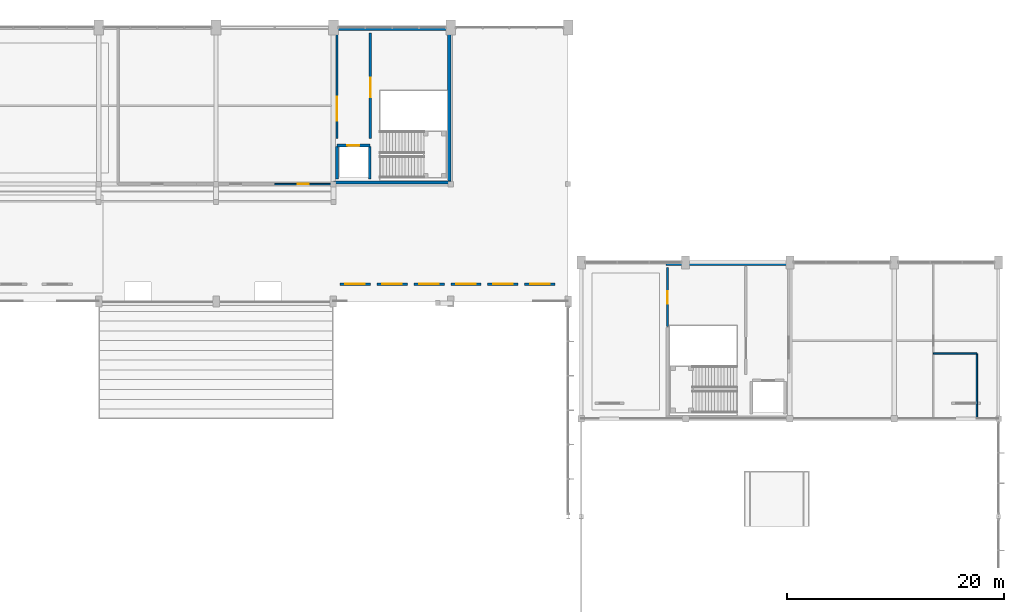
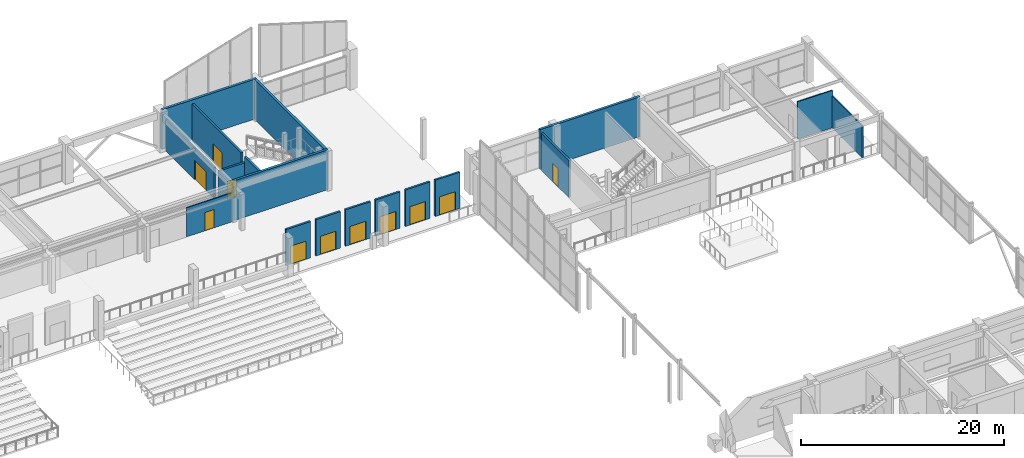
# One storey, part 55 of 74: 19 walls, 11 doors, 11 openings.
"""IFC4 building model written with IfcOpenShell, lengths in metres."""

from ifc_helpers import new_model, si_unit, direction, frame, frame_2d, origin, place, context, subcontext, project, spatial, rectangle, extrude, material, layer, layer_set, type_object, element, fill, save


model = new_model("IFC4")

# Units and contexts
model_context = context("Model", 3, precision=1e-05, world=origin(), true_north=direction((0.0, 1.0)))
body_context = subcontext(model_context, "Body", "Model", "MODEL_VIEW")
ifc_project = project(units=[si_unit("LENGTHUNIT", "METRE"), si_unit("AREAUNIT", "SQUARE_METRE"), si_unit("VOLUMEUNIT", "CUBIC_METRE"), si_unit("PLANEANGLEUNIT", "RADIAN"), si_unit("MASSUNIT", "GRAM", prefix="KILO")], contexts=[model_context])

# Site, building, storey
site_placement = place(None, origin())
site = spatial("IfcSite", under=ifc_project, at=site_placement, CompositionType="ELEMENT")
building_placement = place(site_placement, origin())
building = spatial("IfcBuilding", under=site, at=building_placement, Name="Suirenkawa Promenade Aquatics Centre", CompositionType="ELEMENT")
storey_placement = place(building_placement, frame((0.0, 0.0, 4.800048828125)))
storey = spatial("IfcBuildingStorey", under=building, at=storey_placement, Name="L01", CompositionType="ELEMENT", Elevation=4.800048828125)

# Walls
ifc_material_1 = material(Name="Concrete M40", Category="concrete")
ifc_layer_1 = layer(ifc_material_1, 0.280029296875, Name="Concrete M40", Category="concrete")
ifc_layer_set_1 = layer_set([ifc_layer_1], Name="Concrete M40")
wall_type_1 = type_object("IfcWallType", Name="WT-CORE-280", PredefinedType="SHEAR", material=ifc_layer_set_1)
for number, where, z_axis, x_axis, name in (
    (1, (133.199951171875, 108.139892578125, 0.0), (0.0, 0.0, 1.0), (1.0, 0.0, 0.0), "C4 south core wall WL-CORE-02 W-0130"),
    (2, (133.199951171875, 122.260009765625, 0.0), (0.0, 0.0, 1.0), (1.0, 0.0, 0.0), "C4 north core wall WL-CORE-02 W-0131"),
):
    element("IfcWall", number, at=place(storey_placement, frame(where, z_axis=z_axis, x_axis=x_axis)), inside=storey, type_object=wall_type_1, Name=name, PredefinedType="SHEAR", context=body_context, shape_type="SweptSolid", body=[
        extrude(rectangle(XDim=10.800048828125, YDim=0.280029296875, at=frame_2d((5.39990234375, 0.0))), origin(), (0.0, 0.0, 1.0), 4.800048828125),
    ])
wall_1_placement = place(storey_placement, frame((143.860107421875, 108.280029296875, 0.0), z_axis=(0.0, 0.0, 1.0), x_axis=(0.0, 1.0, 0.0)))
element("IfcWall", 3, at=wall_1_placement, inside=storey, type_object=wall_type_1, Name="C4 east core wall WL-CORE-02 W-0132", PredefinedType="SHEAR", context=body_context, shape_type="SweptSolid", body=[
    extrude(rectangle(XDim=13.840087890625, YDim=0.280029296875, at=frame_2d((6.919921875, 0.0))), origin(), (0.0, 0.0, 1.0), 4.800048828125),
])
wall_2_placement = place(storey_placement, frame((163.800048828125, 100.659912109375, 0.0), z_axis=(0.0, 0.0, 1.0), x_axis=(1.0, 0.0, 0.0)))
element("IfcWall", 4, at=wall_2_placement, inside=storey, type_object=wall_type_1, Name="C5 north core wall WL-CORE-02 W-0144", PredefinedType="SHEAR", context=body_context, shape_type="SweptSolid", body=[
    extrude(rectangle(XDim=11.39990234375, YDim=0.280029296875, at=frame_2d((5.699951171875, 0.0))), origin(), (0.0, 0.0, 1.0), 4.800048828125),
])

# Wall, opening, door
ifc_material_2 = material(Name="Concrete M35", Category="concrete")
ifc_layer_2 = layer(ifc_material_2, 0.219970703125, Name="Concrete M35", Category="concrete")
ifc_layer_set_2 = layer_set([ifc_layer_2], Name="Concrete M35")
wall_type_2 = type_object("IfcWallType", Name="WT-LOBBY-220", PredefinedType="PARTITIONING", material=ifc_layer_set_2)
wall_3_placement = place(storey_placement, frame((136.60009765625, 112.199951171875, 0.0), z_axis=(0.0, 0.0, 1.0), x_axis=(0.0, 1.0, 0.0)))
wall_3 = element("IfcWall", 5, at=wall_3_placement, inside=storey, type_object=wall_type_2, Name="Interior wall WL-LOB-01 W-7097", PredefinedType="PARTITIONING", context=body_context, shape_type="SweptSolid", body=[
    extrude(rectangle(XDim=9.699951171875, YDim=0.219970703125, at=frame_2d((4.85009765625, 0.0))), origin(), (0.0, 0.0, 1.0), 4.5048828125),
])
opening_1_placement = place(wall_3_placement, frame((3.800048828125, 0.0, 0.0)))
opening_1 = element("IfcOpeningElement", 6, at=opening_1_placement, cuts=wall_3, Name="Opening ID-02", PredefinedType="OPENING", context=body_context, shape_type="SweptSolid", body=[
    extrude(rectangle(XDim=1.800048828125, YDim=2.199951171875, at=frame_2d((0.89990234375, 1.10009765625))), frame((0.0, 0.119873046875, 0.0), z_axis=(0.0, -1.0, 0.0), x_axis=(1.0, 0.0, 0.0)), (0.0, 0.0, 1.0), 0.239990234375),
])
ifc_material_3 = material(Name="Steel IS 2062 E350 (Grade 350)", Category="steel")
door_type_1 = type_object("IfcDoorType", Name="DT-FD120-1800x2200", OperationType="DOUBLE_DOOR_SINGLE_SWING", PredefinedType="DOOR", material=ifc_material_3)
door_1_placement = place(opening_1_placement, origin())
door_1 = element("IfcDoor", 7, at=door_1_placement, inside=storey, type_object=door_type_1, Name="Interior door ID-02 DR-INT-0063", OperationType="DOUBLE_DOOR_SINGLE_SWING", OverallHeight=2.199951171875, OverallWidth=1.800048828125, PredefinedType="DOOR", context=body_context, shape_type="SweptSolid", body=[
    extrude(rectangle(XDim=1.800048828125, YDim=2.199951171875, at=frame_2d((0.89990234375, 1.10009765625))), frame((0.0, 0.02490234375, 0.0), z_axis=(0.0, -1.0, 0.0), x_axis=(1.0, 0.0, 0.0)), (0.0, 0.0, 1.0), 0.050048828125),
])
fill(opening_1, door_1)

wall_4_placement = place(storey_placement, frame((133.530029296875, 112.199951171875, 0.0), z_axis=(0.0, 0.0, 1.0), x_axis=(0.0, 1.0, 0.0)))
wall_4 = element("IfcWall", 8, at=wall_4_placement, inside=storey, type_object=wall_type_2, Name="Interior wall WL-LOB-01 W-7101", PredefinedType="PARTITIONING", context=body_context, shape_type="SweptSolid", body=[
    extrude(rectangle(XDim=9.60009765625, YDim=0.219970703125, at=frame_2d((4.800048828125, 0.0))), origin(), (0.0, 0.0, 1.0), 3.784912109375),
])
opening_2_placement = place(wall_4_placement, frame((1.64990234375, 0.0, 0.0)))
opening_2 = element("IfcOpeningElement", 9, at=opening_2_placement, cuts=wall_4, Name="Opening DR-FD120", PredefinedType="OPENING", context=body_context, shape_type="SweptSolid", body=[
    extrude(rectangle(XDim=2.199951171875, YDim=2.300048828125, at=frame_2d((1.10009765625, 1.14990234375))), frame((0.0, 0.119873046875, 0.0), z_axis=(0.0, -1.0, 0.0), x_axis=(1.0, 0.0, 0.0)), (0.0, 0.0, 1.0), 0.239990234375),
])
door_type_2 = type_object("IfcDoorType", Name="DT-FD120-2200x2300", OperationType="DOUBLE_DOOR_SINGLE_SWING", PredefinedType="DOOR", material=ifc_material_3)
door_2_placement = place(opening_2_placement, origin())
door_2 = element("IfcDoor", 10, at=door_2_placement, inside=storey, type_object=door_type_2, Name="Interior door DR-FD120 DR-INT-0065", OperationType="DOUBLE_DOOR_SINGLE_SWING", OverallHeight=2.300048828125, OverallWidth=2.199951171875, PredefinedType="DOOR", context=body_context, shape_type="SweptSolid", body=[
    extrude(rectangle(XDim=2.199951171875, YDim=2.300048828125, at=frame_2d((1.10009765625, 1.14990234375))), frame((0.0, 0.02490234375, 0.0), z_axis=(0.0, -1.0, 0.0), x_axis=(1.0, 0.0, 0.0)), (0.0, 0.0, 1.0), 0.050048828125),
])
fill(opening_2, door_2)

wall_5_placement = place(storey_placement, frame((163.93994140625, 94.89990234375, 0.0), z_axis=(0.0, 0.0, 1.0), x_axis=(0.0, 1.0, 0.0)))
wall_5 = element("IfcWall", 11, at=wall_5_placement, inside=storey, type_object=wall_type_2, Name="Interior wall WL-LOB-01 W-7118", PredefinedType="PARTITIONING", context=body_context, shape_type="SweptSolid", body=[
    extrude(rectangle(XDim=5.4501953125, YDim=0.219970703125, at=frame_2d((2.72509765625, 0.0))), origin(), (0.0, 0.0, 1.0), 4.5048828125),
])
opening_3_placement = place(wall_5_placement, frame((2.10009765625, 0.0, 0.0)))
opening_3 = element("IfcOpeningElement", 12, at=opening_3_placement, cuts=wall_5, Name="Opening ID-03", PredefinedType="OPENING", context=body_context, shape_type="SweptSolid", body=[
    extrude(rectangle(XDim=1.14990234375, YDim=2.199951171875, at=frame_2d((0.574951171875, 1.10009765625))), frame((0.0, 0.119873046875, 0.0), z_axis=(0.0, -1.0, 0.0), x_axis=(1.0, 0.0, 0.0)), (0.0, 0.0, 1.0), 0.239990234375),
])
door_type_3 = type_object("IfcDoorType", Name="DT-FD120-1150x2200", OperationType="NOTDEFINED", PredefinedType="DOOR", material=ifc_material_3)
door_3_placement = place(opening_3_placement, origin())
door_3 = element("IfcDoor", 13, at=door_3_placement, inside=storey, type_object=door_type_3, Name="Interior door ID-03 DR-INT-0076", OperationType="SINGLE_SWING_LEFT", OverallHeight=2.199951171875, OverallWidth=1.14990234375, PredefinedType="DOOR", context=body_context, shape_type="SweptSolid", body=[
    extrude(rectangle(XDim=1.14990234375, YDim=2.199951171875, at=frame_2d((0.574951171875, 1.10009765625))), frame((0.0, 0.02490234375, 0.0), z_axis=(0.0, -1.0, 0.0), x_axis=(1.0, 0.0, 0.0)), (0.0, 0.0, 1.0), 0.050048828125),
])
fill(opening_3, door_3)

wall_6_placement = place(storey_placement, frame((133.800048828125, 98.800048828125, 0.0), z_axis=(0.0, 0.0, 1.0), x_axis=(1.0, 0.0, 0.0)))
wall_6 = element("IfcWall", 14, at=wall_6_placement, inside=storey, type_object=wall_type_2, Name="Interior wall WL-LOB-01 W-7396", PredefinedType="PARTITIONING", context=body_context, shape_type="SweptSolid", body=[
    extrude(rectangle(XDim=2.800048828125, YDim=0.219970703125, at=frame_2d((1.39990234375, 0.0))), origin(), (0.0, 0.0, 1.0), 4.385009765625),
])
opening_4_placement = place(wall_6_placement, frame((0.5, 0.0, 0.0)))
opening_4 = element("IfcOpeningElement", 15, at=opening_4_placement, cuts=wall_6, Name="Opening ID-02", PredefinedType="OPENING", context=body_context, shape_type="SweptSolid", body=[
    extrude(rectangle(XDim=1.800048828125, YDim=2.199951171875, at=frame_2d((0.89990234375, 1.10009765625))), frame((0.0, 0.119873046875, 0.0), z_axis=(0.0, -1.0, 0.0), x_axis=(1.0, 0.0, 0.0)), (0.0, 0.0, 1.0), 0.239990234375),
])
door_4_placement = place(opening_4_placement, origin())
door_4 = element("IfcDoor", 16, at=door_4_placement, inside=storey, type_object=door_type_1, Name="Interior door ID-02 DR-INT-0232", OperationType="DOUBLE_DOOR_SINGLE_SWING", OverallHeight=2.199951171875, OverallWidth=1.800048828125, PredefinedType="DOOR", context=body_context, shape_type="SweptSolid", body=[
    extrude(rectangle(XDim=1.800048828125, YDim=2.199951171875, at=frame_2d((0.89990234375, 1.10009765625))), frame((0.0, 0.02490234375, 0.0), z_axis=(0.0, -1.0, 0.0), x_axis=(1.0, 0.0, 0.0)), (0.0, 0.0, 1.0), 0.050048828125),
])
fill(opening_4, door_4)

wall_7_placement = place(storey_placement, frame((137.199951171875, 98.800048828125, 0.0), z_axis=(0.0, 0.0, 1.0), x_axis=(1.0, 0.0, 0.0)))
wall_7 = element("IfcWall", 17, at=wall_7_placement, inside=storey, type_object=wall_type_2, Name="Interior wall WL-LOB-01 W-7397", PredefinedType="PARTITIONING", context=body_context, shape_type="SweptSolid", body=[
    extrude(rectangle(XDim=2.800048828125, YDim=0.219970703125, at=frame_2d((1.39990234375, 0.0))), origin(), (0.0, 0.0, 1.0), 4.385009765625),
])
opening_5_placement = place(wall_7_placement, frame((0.5, 0.0, 0.0)))
opening_5 = element("IfcOpeningElement", 18, at=opening_5_placement, cuts=wall_7, Name="Opening ID-02", PredefinedType="OPENING", context=body_context, shape_type="SweptSolid", body=[
    extrude(rectangle(XDim=1.800048828125, YDim=2.199951171875, at=frame_2d((0.89990234375, 1.10009765625))), frame((0.0, 0.119873046875, 0.0), z_axis=(0.0, -1.0, 0.0), x_axis=(1.0, 0.0, 0.0)), (0.0, 0.0, 1.0), 0.239990234375),
])
door_5_placement = place(opening_5_placement, origin())
door_5 = element("IfcDoor", 19, at=door_5_placement, inside=storey, type_object=door_type_1, Name="Interior door ID-02 DR-INT-0233", OperationType="DOUBLE_DOOR_SINGLE_SWING", OverallHeight=2.199951171875, OverallWidth=1.800048828125, PredefinedType="DOOR", context=body_context, shape_type="SweptSolid", body=[
    extrude(rectangle(XDim=1.800048828125, YDim=2.199951171875, at=frame_2d((0.89990234375, 1.10009765625))), frame((0.0, 0.02490234375, 0.0), z_axis=(0.0, -1.0, 0.0), x_axis=(1.0, 0.0, 0.0)), (0.0, 0.0, 1.0), 0.050048828125),
])
fill(opening_5, door_5)

wall_8_placement = place(storey_placement, frame((140.60009765625, 98.800048828125, 0.0), z_axis=(0.0, 0.0, 1.0), x_axis=(1.0, 0.0, 0.0)))
wall_8 = element("IfcWall", 20, at=wall_8_placement, inside=storey, type_object=wall_type_2, Name="Interior wall WL-LOB-01 W-7398", PredefinedType="PARTITIONING", context=body_context, shape_type="SweptSolid", body=[
    extrude(rectangle(XDim=2.7998046875, YDim=0.219970703125, at=frame_2d((1.39990234375, 0.0))), origin(), (0.0, 0.0, 1.0), 4.385009765625),
])
opening_6_placement = place(wall_8_placement, frame((0.5, 0.0, 0.0)))
opening_6 = element("IfcOpeningElement", 21, at=opening_6_placement, cuts=wall_8, Name="Opening ID-02", PredefinedType="OPENING", context=body_context, shape_type="SweptSolid", body=[
    extrude(rectangle(XDim=1.800048828125, YDim=2.199951171875, at=frame_2d((0.89990234375, 1.10009765625))), frame((0.0, 0.119873046875, 0.0), z_axis=(0.0, -1.0, 0.0), x_axis=(1.0, 0.0, 0.0)), (0.0, 0.0, 1.0), 0.239990234375),
])
door_6_placement = place(opening_6_placement, origin())
door_6 = element("IfcDoor", 22, at=door_6_placement, inside=storey, type_object=door_type_1, Name="Interior door ID-02 DR-INT-0234", OperationType="DOUBLE_DOOR_SINGLE_SWING", OverallHeight=2.199951171875, OverallWidth=1.800048828125, PredefinedType="DOOR", context=body_context, shape_type="SweptSolid", body=[
    extrude(rectangle(XDim=1.800048828125, YDim=2.199951171875, at=frame_2d((0.89990234375, 1.10009765625))), frame((0.0, 0.02490234375, 0.0), z_axis=(0.0, -1.0, 0.0), x_axis=(1.0, 0.0, 0.0)), (0.0, 0.0, 1.0), 0.050048828125),
])
fill(opening_6, door_6)

wall_9_placement = place(storey_placement, frame((144.0, 98.800048828125, 0.0), z_axis=(0.0, 0.0, 1.0), x_axis=(1.0, 0.0, 0.0)))
wall_9 = element("IfcWall", 23, at=wall_9_placement, inside=storey, type_object=wall_type_2, Name="Interior wall WL-LOB-01 W-7399", PredefinedType="PARTITIONING", context=body_context, shape_type="SweptSolid", body=[
    extrude(rectangle(XDim=2.800048828125, YDim=0.219970703125, at=frame_2d((1.39990234375, 0.0))), origin(), (0.0, 0.0, 1.0), 4.385009765625),
])
opening_7_placement = place(wall_9_placement, frame((0.5, 0.0, 0.0)))
opening_7 = element("IfcOpeningElement", 24, at=opening_7_placement, cuts=wall_9, Name="Opening ID-02", PredefinedType="OPENING", context=body_context, shape_type="SweptSolid", body=[
    extrude(rectangle(XDim=1.800048828125, YDim=2.199951171875, at=frame_2d((0.89990234375, 1.10009765625))), frame((0.0, 0.119873046875, 0.0), z_axis=(0.0, -1.0, 0.0), x_axis=(1.0, 0.0, 0.0)), (0.0, 0.0, 1.0), 0.239990234375),
])
door_7_placement = place(opening_7_placement, origin())
door_7 = element("IfcDoor", 25, at=door_7_placement, inside=storey, type_object=door_type_1, Name="Interior door ID-02 DR-INT-0235", OperationType="DOUBLE_DOOR_SINGLE_SWING", OverallHeight=2.199951171875, OverallWidth=1.800048828125, PredefinedType="DOOR", context=body_context, shape_type="SweptSolid", body=[
    extrude(rectangle(XDim=1.800048828125, YDim=2.199951171875, at=frame_2d((0.89990234375, 1.10009765625))), frame((0.0, 0.02490234375, 0.0), z_axis=(0.0, -1.0, 0.0), x_axis=(1.0, 0.0, 0.0)), (0.0, 0.0, 1.0), 0.050048828125),
])
fill(opening_7, door_7)

wall_10_placement = place(storey_placement, frame((147.39990234375, 98.800048828125, 0.0), z_axis=(0.0, 0.0, 1.0), x_axis=(1.0, 0.0, 0.0)))
wall_10 = element("IfcWall", 26, at=wall_10_placement, inside=storey, type_object=wall_type_2, Name="Interior wall WL-LOB-01 W-7400", PredefinedType="PARTITIONING", context=body_context, shape_type="SweptSolid", body=[
    extrude(rectangle(XDim=2.800048828125, YDim=0.219970703125, at=frame_2d((1.39990234375, 0.0))), origin(), (0.0, 0.0, 1.0), 4.385009765625),
])
opening_8_placement = place(wall_10_placement, frame((0.5, 0.0, 0.0)))
opening_8 = element("IfcOpeningElement", 27, at=opening_8_placement, cuts=wall_10, Name="Opening ID-02", PredefinedType="OPENING", context=body_context, shape_type="SweptSolid", body=[
    extrude(rectangle(XDim=1.800048828125, YDim=2.199951171875, at=frame_2d((0.89990234375, 1.10009765625))), frame((0.0, 0.119873046875, 0.0), z_axis=(0.0, -1.0, 0.0), x_axis=(1.0, 0.0, 0.0)), (0.0, 0.0, 1.0), 0.239990234375),
])
door_8_placement = place(opening_8_placement, origin())
door_8 = element("IfcDoor", 28, at=door_8_placement, inside=storey, type_object=door_type_1, Name="Interior door ID-02 DR-INT-0236", OperationType="DOUBLE_DOOR_SINGLE_SWING", OverallHeight=2.199951171875, OverallWidth=1.800048828125, PredefinedType="DOOR", context=body_context, shape_type="SweptSolid", body=[
    extrude(rectangle(XDim=1.800048828125, YDim=2.199951171875, at=frame_2d((0.89990234375, 1.10009765625))), frame((0.0, 0.02490234375, 0.0), z_axis=(0.0, -1.0, 0.0), x_axis=(1.0, 0.0, 0.0)), (0.0, 0.0, 1.0), 0.050048828125),
])
fill(opening_8, door_8)

wall_11_placement = place(storey_placement, frame((150.800048828125, 98.800048828125, 0.0), z_axis=(0.0, 0.0, 1.0), x_axis=(1.0, 0.0, 0.0)))
wall_11 = element("IfcWall", 29, at=wall_11_placement, inside=storey, type_object=wall_type_2, Name="Interior wall WL-LOB-01 W-7401", PredefinedType="PARTITIONING", context=body_context, shape_type="SweptSolid", body=[
    extrude(rectangle(XDim=2.800048828125, YDim=0.219970703125, at=frame_2d((1.39990234375, 0.0))), origin(), (0.0, 0.0, 1.0), 4.385009765625),
])
opening_9_placement = place(wall_11_placement, frame((0.5, 0.0, 0.0)))
opening_9 = element("IfcOpeningElement", 30, at=opening_9_placement, cuts=wall_11, Name="Opening ID-02", PredefinedType="OPENING", context=body_context, shape_type="SweptSolid", body=[
    extrude(rectangle(XDim=1.800048828125, YDim=2.199951171875, at=frame_2d((0.89990234375, 1.10009765625))), frame((0.0, 0.119873046875, 0.0), z_axis=(0.0, -1.0, 0.0), x_axis=(1.0, 0.0, 0.0)), (0.0, 0.0, 1.0), 0.239990234375),
])
door_9_placement = place(opening_9_placement, origin())
door_9 = element("IfcDoor", 31, at=door_9_placement, inside=storey, type_object=door_type_1, Name="Interior door ID-02 DR-INT-0237", OperationType="DOUBLE_DOOR_SINGLE_SWING", OverallHeight=2.199951171875, OverallWidth=1.800048828125, PredefinedType="DOOR", context=body_context, shape_type="SweptSolid", body=[
    extrude(rectangle(XDim=1.800048828125, YDim=2.199951171875, at=frame_2d((0.89990234375, 1.10009765625))), frame((0.0, 0.02490234375, 0.0), z_axis=(0.0, -1.0, 0.0), x_axis=(1.0, 0.0, 0.0)), (0.0, 0.0, 1.0), 0.050048828125),
])
fill(opening_9, door_9)

ifc_layer_3 = layer(ifc_material_1, 0.239990234375, Name="Concrete M40", Category="concrete")
ifc_layer_set_3 = layer_set([ifc_layer_3], Name="Concrete M40")
wall_type_3 = type_object("IfcWallType", Name="WT-SHAFT-240", PredefinedType="SOLIDWALL", material=ifc_layer_set_3)
wall_12_placement = place(storey_placement, frame((133.530029296875, 111.550048828125, 0.0), z_axis=(0.0, 0.0, 1.0), x_axis=(1.0, 0.0, 0.0)))
wall_12 = element("IfcWall", 32, at=wall_12_placement, inside=storey, type_object=wall_type_3, Name="Interior wall WL-SHF-01 W-7098", PredefinedType="SOLIDWALL", context=body_context, shape_type="SweptSolid", body=[
    extrude(rectangle(XDim=3.02001953125, YDim=0.239990234375, at=frame_2d((1.510009765625, 0.0))), origin(), (0.0, 0.0, 1.0), 3.784912109375),
])
opening_10_placement = place(wall_12_placement, frame((0.9599609375, 0.0, 0.0)))
opening_10 = element("IfcOpeningElement", 33, at=opening_10_placement, cuts=wall_12, Name="Opening LD-01", PredefinedType="OPENING", context=body_context, shape_type="SweptSolid", body=[
    extrude(rectangle(XDim=1.10009765625, YDim=2.14990234375, at=frame_2d((0.550048828125, 1.074951171875))), frame((0.0, 0.1298828125, 0.0), z_axis=(0.0, -1.0, 0.0), x_axis=(1.0, 0.0, 0.0)), (0.0, 0.0, 1.0), 0.260009765625),
])
ifc_material_4 = material(Name="Marine-grade stainless steel Grade 316L", Category="steel")
door_type_4 = type_object("IfcDoorType", Name="DT-LIFT-1100x2150", OperationType="DOUBLE_DOOR_SLIDING", PredefinedType="DOOR", material=ifc_material_4)
door_10_placement = place(opening_10_placement, origin())
door_10 = element("IfcDoor", 34, at=door_10_placement, inside=storey, type_object=door_type_4, Name="Landing door LD-01 DR-INT-0064", OperationType="DOUBLE_DOOR_SLIDING", OverallHeight=2.14990234375, OverallWidth=1.10009765625, PredefinedType="DOOR", context=body_context, shape_type="SweptSolid", body=[
    extrude(rectangle(XDim=1.10009765625, YDim=2.14990234375, at=frame_2d((0.550048828125, 1.074951171875))), frame((0.0, 0.02490234375, 0.0), z_axis=(0.0, -1.0, 0.0), x_axis=(1.0, 0.0, 0.0)), (0.0, 0.0, 1.0), 0.050048828125),
])
fill(opening_10, door_10)

# Walls
wall_13_placement = place(storey_placement, frame((136.550048828125, 108.449951171875, 0.0), z_axis=(0.0, 0.0, 1.0), x_axis=(0.0, 1.0, 0.0)))
element("IfcWall", 35, at=wall_13_placement, inside=storey, type_object=wall_type_3, Name="Interior wall WL-SHF-01 W-7099", PredefinedType="SOLIDWALL", context=body_context, shape_type="SweptSolid", body=[
    extrude(rectangle(XDim=3.0, YDim=0.239990234375, at=frame_2d((1.5, 0.0))), origin(), (0.0, 0.0, 1.0), 4.5048828125),
])
wall_14_placement = place(storey_placement, frame((133.530029296875, 108.449951171875, 0.0), z_axis=(0.0, 0.0, 1.0), x_axis=(0.0, 1.0, 0.0)))
element("IfcWall", 36, at=wall_14_placement, inside=storey, type_object=wall_type_3, Name="Interior wall WL-SHF-01 W-7100", PredefinedType="SOLIDWALL", context=body_context, shape_type="SweptSolid", body=[
    extrude(rectangle(XDim=3.0, YDim=0.239990234375, at=frame_2d((1.5, 0.0))), origin(), (0.0, 0.0, 1.0), 3.784912109375),
])

# Wall, opening, door
ifc_material_5 = material(Name="Moisture-resistant acoustic gypsum board")
ifc_layer_4 = layer(ifc_material_5, 0.139892578125, Name="Moisture-resistant acoustic gypsum board")
ifc_layer_set_4 = layer_set([ifc_layer_4], Name="Moisture-resistant acoustic gypsum board")
wall_type_4 = type_object("IfcWallType", Name="WT-STD-140", PredefinedType="PARTITIONING", material=ifc_layer_set_4)
wall_15_placement = place(storey_placement, frame((127.800048828125, 108.0, 0.0), z_axis=(0.0, 0.0, 1.0), x_axis=(1.0, 0.0, 0.0)))
wall_15 = element("IfcWall", 37, at=wall_15_placement, inside=storey, type_object=wall_type_4, Name="Interior wall WL-PRT-04 W-7173", PredefinedType="PARTITIONING", context=body_context, shape_type="SweptSolid", body=[
    extrude(rectangle(XDim=5.39990234375, YDim=0.139892578125, at=frame_2d((2.699951171875, 0.0))), origin(), (0.0, 0.0, 1.0), 3.494873046875),
])
opening_11_placement = place(wall_15_placement, frame((2.10009765625, 0.0, 0.0)))
opening_11 = element("IfcOpeningElement", 38, at=opening_11_placement, cuts=wall_15, Name="Opening ID-08", PredefinedType="OPENING", context=body_context, shape_type="SweptSolid", body=[
    extrude(rectangle(XDim=1.050048828125, YDim=2.199951171875, at=frame_2d((0.52490234375, 1.10009765625))), frame((0.0, 0.079833984375, 0.0), z_axis=(0.0, -1.0, 0.0), x_axis=(1.0, 0.0, 0.0)), (0.0, 0.0, 1.0), 0.159912109375),
])
ifc_material_6 = material(Name="Anodised aluminium 6063-T6", Category="aluminium")
door_type_5 = type_object("IfcDoorType", Name="DT-ACC-1050x2200", OperationType="NOTDEFINED", PredefinedType="DOOR", material=ifc_material_6)
door_11_placement = place(opening_11_placement, origin())
door_11 = element("IfcDoor", 39, at=door_11_placement, inside=storey, type_object=door_type_5, Name="Interior door ID-08 DR-INT-0110", OperationType="SINGLE_SWING_RIGHT", OverallHeight=2.199951171875, OverallWidth=1.050048828125, PredefinedType="DOOR", context=body_context, shape_type="SweptSolid", body=[
    extrude(rectangle(XDim=1.050048828125, YDim=2.199951171875, at=frame_2d((0.52490234375, 1.10009765625))), frame((0.0, 0.02490234375, 0.0), z_axis=(0.0, -1.0, 0.0), x_axis=(1.0, 0.0, 0.0)), (0.0, 0.0, 1.0), 0.050048828125),
])
fill(opening_11, door_11)

# Walls
wall_16_placement = place(storey_placement, frame((192.39990234375, 86.39990234375, 0.0), z_axis=(0.0, 0.0, 1.0), x_axis=(0.0, 1.0, 0.0)))
element("IfcWall", 40, at=wall_16_placement, inside=storey, type_object=wall_type_4, Name="Interior wall WL-PRT-04 W-7337", PredefinedType="PARTITIONING", context=body_context, shape_type="SweptSolid", body=[
    extrude(rectangle(XDim=6.0, YDim=0.139892578125, at=frame_2d((3.0, 0.0))), origin(), (0.0, 0.0, 1.0), 3.8349609375),
])
wall_17_placement = place(storey_placement, frame((188.39990234375, 92.39990234375, 0.0), z_axis=(0.0, 0.0, 1.0), x_axis=(1.0, 0.0, 0.0)))
element("IfcWall", 41, at=wall_17_placement, inside=storey, type_object=wall_type_4, Name="Interior wall WL-PRT-04 W-7338", PredefinedType="PARTITIONING", context=body_context, shape_type="SweptSolid", body=[
    extrude(rectangle(XDim=4.0, YDim=0.139892578125, at=frame_2d((2.0, 0.0))), origin(), (0.0, 0.0, 1.0), 4.5048828125),
])

save(model, "model.ifc")
